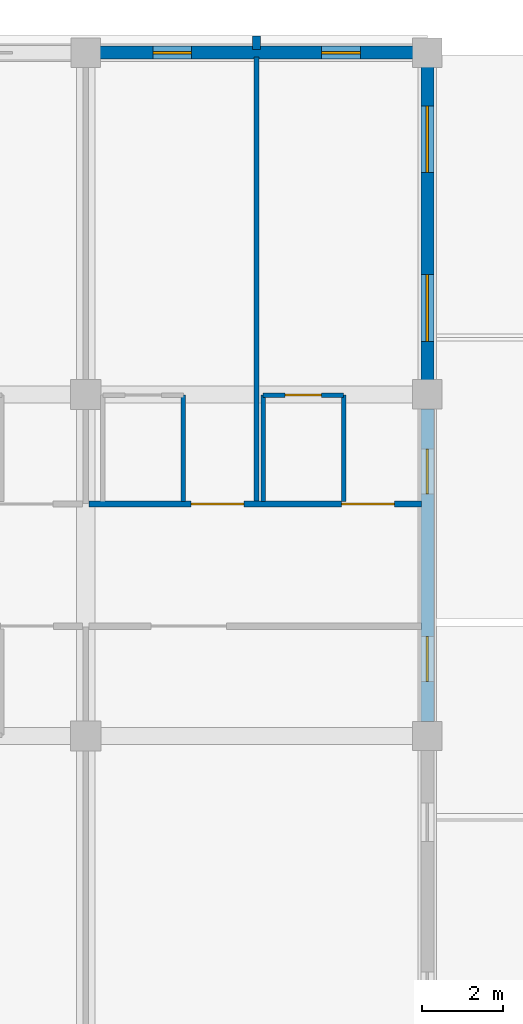
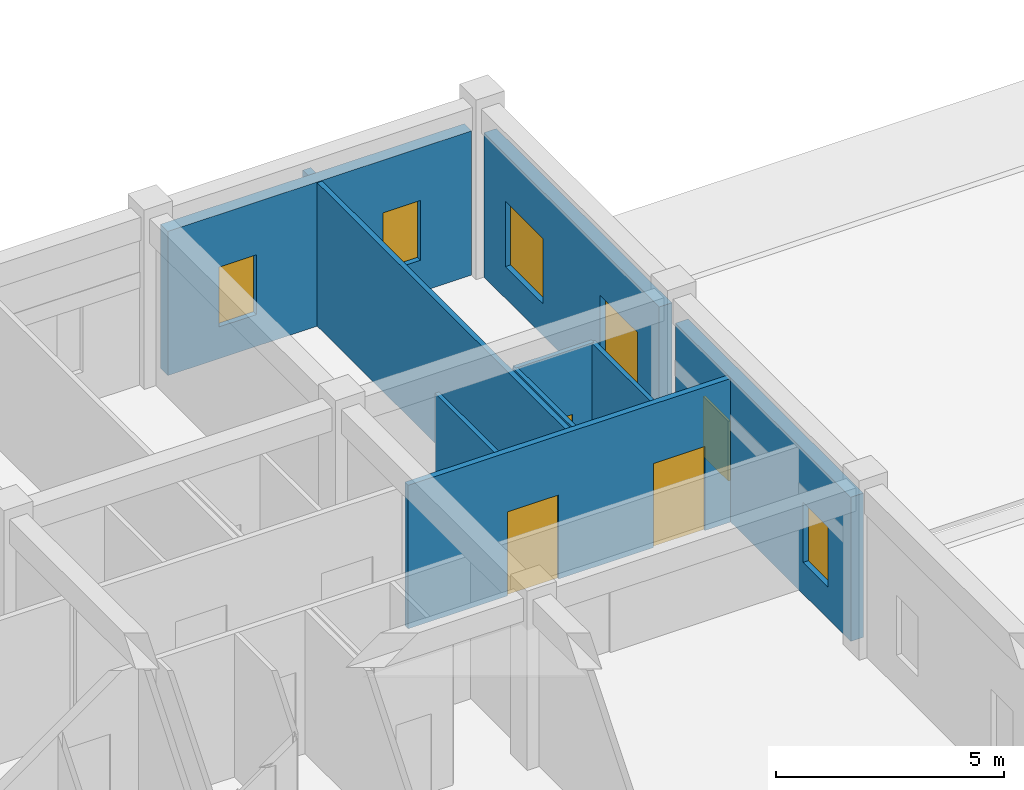
# One storey, part 138 of 158: 10 walls, 6 windows, 3 doors, 9 openings.
"""IFC4 building model written with IfcOpenShell, lengths in metres."""

from ifc_helpers import new_model, si_unit, direction, frame, frame_2d, origin, place, context, subcontext, project, spatial, rectangle, extrude, material, layer, layer_set, type_object, element, fill, save


model = new_model("IFC4")

# Units and contexts
model_context = context("Model", 3, precision=1e-05, world=origin(), true_north=direction((0.0, 1.0)))
body_context = subcontext(model_context, "Body", "Model", "MODEL_VIEW")
ifc_project = project(units=[si_unit("LENGTHUNIT", "METRE"), si_unit("AREAUNIT", "SQUARE_METRE"), si_unit("VOLUMEUNIT", "CUBIC_METRE"), si_unit("PLANEANGLEUNIT", "RADIAN"), si_unit("MASSUNIT", "GRAM", prefix="KILO")], contexts=[model_context])

# Site, building, storey
site_placement = place(None, origin())
site = spatial("IfcSite", under=ifc_project, at=site_placement, CompositionType="ELEMENT")
building_placement = place(site_placement, origin())
building = spatial("IfcBuilding", under=site, at=building_placement, Name="Trelvath General Hospital", CompositionType="ELEMENT")
storey_placement = place(building_placement, frame((0.0, 0.0, 8.10009765625)))
storey = spatial("IfcBuildingStorey", under=building, at=storey_placement, Name="L02", CompositionType="ELEMENT", Elevation=8.10009765625)

# Wall
ifc_material_1 = material(Name="Precast concrete C40/50", Category="concrete")
ifc_layer_1 = layer(ifc_material_1, 0.199951171875)
ifc_layer_set_1 = layer_set([ifc_layer_1], Name="Precast concrete C40/50")
wall_type_1 = type_object("IfcWallType", Name="BriseSoleilRib 200", PredefinedType="ELEMENTEDWALL", material=ifc_layer_set_1)
wall_1_placement = place(storey_placement, frame((130.199951171875, 117.675048828125, 0.0), z_axis=(0.0, 0.0, 1.0), x_axis=(0.0, 1.0, 0.0)))
element("IfcWall", 1, at=wall_1_placement, inside=storey, type_object=wall_type_1, Name="Precast Concrete Brise-Soleil Rib Fin L02-222", PredefinedType="ELEMENTEDWALL", context=body_context, shape_type="SweptSolid", body=[
    extrude(rectangle(XDim=0.33984375, YDim=0.199951171875, at=frame_2d((0.169921875, 0.0))), origin(), (0.0, 0.0, 1.0), 3.83984375),
])

# Wall, openings, doors
ifc_material_2 = material(Name="Gypsum acoustic steel-stud partition", Category="steel")
ifc_layer_2 = layer(ifc_material_2, 0.14990234375)
ifc_layer_set_2 = layer_set([ifc_layer_2], Name="Gypsum acoustic steel-stud partition")
wall_type_2 = type_object("IfcWallType", Name="ClinicalPartition 150", PredefinedType="PARTITIONING", material=ifc_layer_set_2)
wall_2_placement = place(storey_placement, frame((134.260009765625, 106.5, 0.0), z_axis=(0.0, 0.0, 1.0), x_axis=(-1.0, 0.0, 0.0)))
wall_2 = element("IfcWall", 2, at=wall_2_placement, inside=storey, type_object=wall_type_2, Name="Corridor Partition N L02-1017", PredefinedType="PARTITIONING", context=body_context, shape_type="SweptSolid", body=[
    extrude(rectangle(XDim=8.179931640625, YDim=0.14990234375, at=frame_2d((4.08984375, 0.0))), origin(), (0.0, 0.0, 1.0), 3.83984375),
])
opening_1_placement = place(wall_2_placement, frame((0.669921875, 0.0, 0.0)))
opening_1 = element("IfcOpeningElement", 3, at=opening_1_placement, cuts=wall_2, Name="Opening D-2-0792", PredefinedType="OPENING", context=body_context, shape_type="SweptSolid", body=[
    extrude(rectangle(XDim=1.300048828125, YDim=2.25, at=frame_2d((0.64990234375, 1.125))), frame((0.0, 0.0849609375, 0.0), z_axis=(0.0, -1.0, 0.0), x_axis=(1.0, 0.0, 0.0)), (0.0, 0.0, 1.0), 0.169921875),
])
opening_2_placement = place(wall_2_placement, frame((4.3701171875, 0.0, 0.0)))
opening_2 = element("IfcOpeningElement", 4, at=opening_2_placement, cuts=wall_2, Name="Opening D-2-0793", PredefinedType="OPENING", context=body_context, shape_type="SweptSolid", body=[
    extrude(rectangle(XDim=1.300048828125, YDim=2.25, at=frame_2d((0.64990234375, 1.125))), frame((0.0, 0.0849609375, 0.0), z_axis=(0.0, -1.0, 0.0), x_axis=(1.0, 0.0, 0.0)), (0.0, 0.0, 1.0), 0.169921875),
])
ifc_material_3 = material(Name="Hospital bed-leaf timber door", Category="wood")
door_type_1 = type_object("IfcDoorType", Name="Door PatientBed 1300x2250", OperationType="NOTDEFINED", PredefinedType="DOOR", material=ifc_material_3)
door_1_placement = place(opening_1_placement, origin())
door_1 = element("IfcDoor", 5, at=door_1_placement, inside=storey, type_object=door_type_1, Name="Patient Room Door N L02-792", OperationType="SINGLE_SWING_LEFT", OverallHeight=2.25, OverallWidth=1.300048828125, PredefinedType="DOOR", context=body_context, shape_type="SweptSolid", body=[
    extrude(rectangle(XDim=1.300048828125, YDim=2.25, at=frame_2d((0.64990234375, 1.125))), frame((0.0, 0.02490234375, 0.0), z_axis=(0.0, -1.0, 0.0), x_axis=(1.0, 0.0, 0.0)), (0.0, 0.0, 1.0), 0.050048828125),
])
fill(opening_1, door_1)
door_2_placement = place(opening_2_placement, origin())
door_2 = element("IfcDoor", 6, at=door_2_placement, inside=storey, type_object=door_type_1, Name="Patient Room Door N L02-793", OperationType="SINGLE_SWING_LEFT", OverallHeight=2.25, OverallWidth=1.300048828125, PredefinedType="DOOR", context=body_context, shape_type="SweptSolid", body=[
    extrude(rectangle(XDim=1.300048828125, YDim=2.25, at=frame_2d((0.64990234375, 1.125))), frame((0.0, 0.02490234375, 0.0), z_axis=(0.0, -1.0, 0.0), x_axis=(1.0, 0.0, 0.0)), (0.0, 0.0, 1.0), 0.050048828125),
])
fill(opening_2, door_2)

# Walls
ifc_material_4 = material(Name="Moisture-resistant tile partition")
ifc_layer_3 = layer(ifc_material_4, 0.110107421875)
ifc_layer_set_3 = layer_set([ifc_layer_3], Name="Moisture-resistant tile partition")
wall_type_3 = type_object("IfcWallType", Name="EnSuiteWetWall 110", PredefinedType="PARTITIONING", material=ifc_layer_set_3)
for number, where, z_axis, x_axis, name in (
    (7, (128.39990234375, 106.570068359375, 0.0), (0.0, 0.0, 1.0), (0.0, 1.0, 0.0), "En-Suite E Wall N L02-1020"),
    (8, (130.360107421875, 106.570068359375, 0.0), (0.0, 0.0, 1.0), (0.0, 1.0, 0.0), "En-Suite W Wall N L02-1022"),
    (9, (132.340087890625, 106.570068359375, 0.0), (0.0, 0.0, 1.0), (0.0, 1.0, 0.0), "En-Suite E Wall N L02-1023"),
):
    element("IfcWall", number, at=place(storey_placement, frame(where, z_axis=z_axis, x_axis=x_axis)), inside=storey, type_object=wall_type_3, Name=name, PredefinedType="PARTITIONING", context=body_context, shape_type="SweptSolid", body=[
        extrude(rectangle(XDim=2.60986328125, YDim=0.110107421875, at=frame_2d((1.304931640625, 0.0))), origin(), (0.0, 0.0, 1.0), 3.83984375),
    ])

# Wall, opening, door
wall_3_placement = place(storey_placement, frame((130.360107421875, 109.179931640625, 0.0), z_axis=(0.0, 0.0, 1.0), x_axis=(1.0, 0.0, 0.0)))
wall_3 = element("IfcWall", 10, at=wall_3_placement, inside=storey, type_object=wall_type_3, Name="En-Suite Bathroom N Partition L02-1024", PredefinedType="PARTITIONING", context=body_context, shape_type="SweptSolid", body=[
    extrude(rectangle(XDim=1.97998046875, YDim=0.110107421875, at=frame_2d((0.989990234375, 0.0))), origin(), (0.0, 0.0, 1.0), 3.83984375),
])
opening_3_placement = place(wall_3_placement, frame((0.5400390625, 0.0, 0.0)))
opening_3 = element("IfcOpeningElement", 11, at=opening_3_placement, cuts=wall_3, Name="Opening D-2-0795", PredefinedType="OPENING", context=body_context, shape_type="SweptSolid", body=[
    extrude(rectangle(XDim=0.89990234375, YDim=2.10009765625, at=frame_2d((0.449951171875, 1.050048828125))), frame((0.0, 0.06494140625, 0.0), z_axis=(0.0, -1.0, 0.0), x_axis=(1.0, 0.0, 0.0)), (0.0, 0.0, 1.0), 0.130126953125),
])
ifc_material_5 = material(Name="Moisture-sealed timber leaf", Category="wood")
door_type_2 = type_object("IfcDoorType", Name="Door EnSuite 900x2100", OperationType="NOTDEFINED", PredefinedType="DOOR", material=ifc_material_5)
door_3_placement = place(opening_3_placement, origin())
door_3 = element("IfcDoor", 12, at=door_3_placement, inside=storey, type_object=door_type_2, Name="En-Suite Bathroom N Door L02-795", OperationType="SINGLE_SWING_LEFT", OverallHeight=2.10009765625, OverallWidth=0.89990234375, PredefinedType="DOOR", context=body_context, shape_type="SweptSolid", body=[
    extrude(rectangle(XDim=0.89990234375, YDim=2.10009765625, at=frame_2d((0.449951171875, 1.050048828125))), frame((0.0, 0.02490234375, 0.0), z_axis=(0.0, -1.0, 0.0), x_axis=(1.0, 0.0, 0.0)), (0.0, 0.0, 1.0), 0.050048828125),
])
fill(opening_3, door_3)

# Wall, openings, windows
ifc_material_6 = material(Name="Concrete C35/45", Category="concrete")
ifc_layer_4 = layer(ifc_material_6, 0.320068359375)
ifc_layer_set_4 = layer_set([ifc_layer_4], Name="Concrete C35/45")
wall_type_4 = type_object("IfcWallType", Name="ExtThermalWall 320", PredefinedType="SOLIDWALL", material=ifc_layer_set_4)
wall_4_placement = place(storey_placement, frame((134.39990234375, 108.844970703125, 0.0), z_axis=(0.0, 0.0, 1.0), x_axis=(0.0, -1.0, 0.0)))
wall_4 = element("IfcWall", 13, at=wall_4_placement, inside=storey, type_object=wall_type_4, Name="Exterior Concrete Wall L02-302", PredefinedType="SOLIDWALL", context=body_context, shape_type="SweptSolid", body=[
    extrude(rectangle(XDim=7.68994140625, YDim=0.320068359375, at=frame_2d((3.844970703125, 0.0))), origin(), (0.0, 0.0, 1.0), 3.85986328125),
])
opening_4_placement = place(wall_4_placement, frame((0.989990234375, 0.0, 0.85009765625)))
opening_4 = element("IfcOpeningElement", 14, at=opening_4_placement, cuts=wall_4, Name="Opening WN-2-481", PredefinedType="OPENING", context=body_context, shape_type="SweptSolid", body=[
    extrude(rectangle(XDim=1.10009765625, YDim=1.60009765625, at=frame_2d((0.550048828125, 0.800048828125))), frame((0.0, 0.169921875, 0.0), z_axis=(0.0, -1.0, 0.0), x_axis=(1.0, 0.0, 0.0)), (0.0, 0.0, 1.0), 0.340087890625),
])
opening_5_placement = place(wall_4_placement, frame((5.60009765625, 0.0, 0.85009765625)))
opening_5 = element("IfcOpeningElement", 15, at=opening_5_placement, cuts=wall_4, Name="Opening WN-2-482", PredefinedType="OPENING", context=body_context, shape_type="SweptSolid", body=[
    extrude(rectangle(XDim=1.10009765625, YDim=1.60009765625, at=frame_2d((0.550048828125, 0.800048828125))), frame((0.0, 0.169921875, 0.0), z_axis=(0.0, -1.0, 0.0), x_axis=(1.0, 0.0, 0.0)), (0.0, 0.0, 1.0), 0.340087890625),
])
ifc_material_7 = material(Name="Low-E laminated glass", Category="glass")
window_type_1 = type_object("IfcWindowType", Name="Window DeepReveal 1100x1600", PartitioningType="SINGLE_PANEL", PredefinedType="WINDOW", material=ifc_material_7)
window_1_placement = place(opening_4_placement, origin())
window_1 = element("IfcWindow", 16, at=window_1_placement, inside=storey, type_object=window_type_1, Name="Solar Reveal Window L02-481", OverallHeight=1.60009765625, OverallWidth=1.10009765625, PartitioningType="SINGLE_PANEL", PredefinedType="WINDOW", context=body_context, shape_type="SweptSolid", body=[
    extrude(rectangle(XDim=1.10009765625, YDim=1.60009765625, at=frame_2d((0.550048828125, 0.800048828125))), frame((0.0, 0.030029296875, 0.0), z_axis=(0.0, -1.0, 0.0), x_axis=(1.0, 0.0, 0.0)), (0.0, 0.0, 1.0), 0.06005859375),
])
fill(opening_4, window_1)
window_2_placement = place(opening_5_placement, origin())
window_2 = element("IfcWindow", 17, at=window_2_placement, inside=storey, type_object=window_type_1, Name="Solar Reveal Window L02-482", OverallHeight=1.60009765625, OverallWidth=1.10009765625, PartitioningType="SINGLE_PANEL", PredefinedType="WINDOW", context=body_context, shape_type="SweptSolid", body=[
    extrude(rectangle(XDim=1.10009765625, YDim=1.60009765625, at=frame_2d((0.550048828125, 0.800048828125))), frame((0.0, 0.030029296875, 0.0), z_axis=(0.0, -1.0, 0.0), x_axis=(1.0, 0.0, 0.0)), (0.0, 0.0, 1.0), 0.06005859375),
])
fill(opening_5, window_2)

wall_5_placement = place(storey_placement, frame((126.35498046875, 117.60009765625, 0.0), z_axis=(0.0, 0.0, 1.0), x_axis=(1.0, 0.0, 0.0)))
wall_5 = element("IfcWall", 18, at=wall_5_placement, inside=storey, type_object=wall_type_4, Name="Exterior Concrete Wall L02-303", PredefinedType="SOLIDWALL", context=body_context, shape_type="SweptSolid", body=[
    extrude(rectangle(XDim=7.68994140625, YDim=0.320068359375, at=frame_2d((3.844970703125, 0.0))), origin(), (0.0, 0.0, 1.0), 3.85986328125),
])
opening_6_placement = place(wall_5_placement, frame((1.293701171875, 0.0, 0.85009765625)))
opening_6 = element("IfcOpeningElement", 19, at=opening_6_placement, cuts=wall_5, Name="Opening WN-2-483", PredefinedType="OPENING", context=body_context, shape_type="SweptSolid", body=[
    extrude(rectangle(XDim=0.949951171875, YDim=1.60009765625, at=frame_2d((0.47509765625, 0.800048828125))), frame((0.0, 0.169921875, 0.0), z_axis=(0.0, -1.0, 0.0), x_axis=(1.0, 0.0, 0.0)), (0.0, 0.0, 1.0), 0.340087890625),
])
opening_7_placement = place(wall_5_placement, frame((5.4462890625, 0.0, 0.85009765625)))
opening_7 = element("IfcOpeningElement", 20, at=opening_7_placement, cuts=wall_5, Name="Opening WN-2-484", PredefinedType="OPENING", context=body_context, shape_type="SweptSolid", body=[
    extrude(rectangle(XDim=0.949951171875, YDim=1.60009765625, at=frame_2d((0.47509765625, 0.800048828125))), frame((0.0, 0.169921875, 0.0), z_axis=(0.0, -1.0, 0.0), x_axis=(1.0, 0.0, 0.0)), (0.0, 0.0, 1.0), 0.340087890625),
])
ifc_material_8 = material(Name="Low-E laminated glass", Category="glass")
window_type_2 = type_object("IfcWindowType", Name="Window DeepReveal 950x1600", PartitioningType="SINGLE_PANEL", PredefinedType="WINDOW", material=ifc_material_8)
window_3_placement = place(opening_6_placement, origin())
window_3 = element("IfcWindow", 21, at=window_3_placement, inside=storey, type_object=window_type_2, Name="Solar Reveal Window L02-483", OverallHeight=1.60009765625, OverallWidth=0.949951171875, PartitioningType="SINGLE_PANEL", PredefinedType="WINDOW", context=body_context, shape_type="SweptSolid", body=[
    extrude(rectangle(XDim=0.949951171875, YDim=1.60009765625, at=frame_2d((0.47509765625, 0.800048828125))), frame((0.0, 0.030029296875, 0.0), z_axis=(0.0, -1.0, 0.0), x_axis=(1.0, 0.0, 0.0)), (0.0, 0.0, 1.0), 0.06005859375),
])
fill(opening_6, window_3)
window_4_placement = place(opening_7_placement, origin())
window_4 = element("IfcWindow", 22, at=window_4_placement, inside=storey, type_object=window_type_2, Name="Solar Reveal Window L02-484", OverallHeight=1.60009765625, OverallWidth=0.949951171875, PartitioningType="SINGLE_PANEL", PredefinedType="WINDOW", context=body_context, shape_type="SweptSolid", body=[
    extrude(rectangle(XDim=0.949951171875, YDim=1.60009765625, at=frame_2d((0.47509765625, 0.800048828125))), frame((0.0, 0.030029296875, 0.0), z_axis=(0.0, -1.0, 0.0), x_axis=(1.0, 0.0, 0.0)), (0.0, 0.0, 1.0), 0.06005859375),
])
fill(opening_7, window_4)

wall_6_placement = place(storey_placement, frame((134.39990234375, 117.2451171875, 0.0), z_axis=(0.0, 0.0, 1.0), x_axis=(0.0, -1.0, 0.0)))
wall_6 = element("IfcWall", 23, at=wall_6_placement, inside=storey, type_object=wall_type_4, Name="Exterior Concrete Wall L02-304", PredefinedType="SOLIDWALL", context=body_context, shape_type="SweptSolid", body=[
    extrude(rectangle(XDim=7.690185546875, YDim=0.320068359375, at=frame_2d((3.84521484375, 0.0))), origin(), (0.0, 0.0, 1.0), 3.85986328125),
])
opening_8_placement = place(wall_6_placement, frame((0.94873046875, 0.0, 0.85009765625)))
opening_8 = element("IfcOpeningElement", 24, at=opening_8_placement, cuts=wall_6, Name="Opening WN-2-485", PredefinedType="OPENING", context=body_context, shape_type="SweptSolid", body=[
    extrude(rectangle(XDim=1.639892578125, YDim=1.75, at=frame_2d((0.81982421875, 0.875))), frame((0.0, 0.169921875, 0.0), z_axis=(0.0, -1.0, 0.0), x_axis=(1.0, 0.0, 0.0)), (0.0, 0.0, 1.0), 0.340087890625),
])
opening_9_placement = place(wall_6_placement, frame((5.101318359375, 0.0, 0.85009765625)))
opening_9 = element("IfcOpeningElement", 25, at=opening_9_placement, cuts=wall_6, Name="Opening WN-2-486", PredefinedType="OPENING", context=body_context, shape_type="SweptSolid", body=[
    extrude(rectangle(XDim=1.639892578125, YDim=1.75, at=frame_2d((0.81982421875, 0.875))), frame((0.0, 0.169921875, 0.0), z_axis=(0.0, -1.0, 0.0), x_axis=(1.0, 0.0, 0.0)), (0.0, 0.0, 1.0), 0.340087890625),
])
ifc_material_9 = material(Name="Low-E laminated glass", Category="glass")
window_type_3 = type_object("IfcWindowType", Name="Window ICU 1640x1750", PartitioningType="DOUBLE_PANEL_VERTICAL", PredefinedType="WINDOW", material=ifc_material_9)
window_5_placement = place(opening_8_placement, origin())
window_5 = element("IfcWindow", 26, at=window_5_placement, inside=storey, type_object=window_type_3, Name="Solar Reveal Window L02-485", OverallHeight=1.75, OverallWidth=1.639892578125, PartitioningType="SINGLE_PANEL", PredefinedType="WINDOW", context=body_context, shape_type="SweptSolid", body=[
    extrude(rectangle(XDim=1.639892578125, YDim=1.75, at=frame_2d((0.81982421875, 0.875))), frame((0.0, 0.030029296875, 0.0), z_axis=(0.0, -1.0, 0.0), x_axis=(1.0, 0.0, 0.0)), (0.0, 0.0, 1.0), 0.06005859375),
])
fill(opening_8, window_5)
window_6_placement = place(opening_9_placement, origin())
window_6 = element("IfcWindow", 27, at=window_6_placement, inside=storey, type_object=window_type_3, Name="Solar Reveal Window L02-486", OverallHeight=1.75, OverallWidth=1.639892578125, PartitioningType="SINGLE_PANEL", PredefinedType="WINDOW", context=body_context, shape_type="SweptSolid", body=[
    extrude(rectangle(XDim=1.639892578125, YDim=1.75, at=frame_2d((0.81982421875, 0.875))), frame((0.0, 0.030029296875, 0.0), z_axis=(0.0, -1.0, 0.0), x_axis=(1.0, 0.0, 0.0)), (0.0, 0.0, 1.0), 0.06005859375),
])
fill(opening_9, window_6)

# Wall
ifc_material_10 = material(Name="Gypsum acoustic steel-stud partition", Category="steel")
ifc_layer_5 = layer(ifc_material_10, 0.1298828125)
ifc_layer_set_5 = layer_set([ifc_layer_5], Name="Gypsum acoustic steel-stud partition")
wall_type_5 = type_object("IfcWallType", Name="WardPartition 130", PredefinedType="PARTITIONING", material=ifc_layer_set_5)
wall_7_placement = place(storey_placement, frame((130.199951171875, 106.570068359375, 0.0), z_axis=(0.0, 0.0, 1.0), x_axis=(0.0, 1.0, 0.0)))
element("IfcWall", 28, at=wall_7_placement, inside=storey, type_object=wall_type_5, Name="Room Dividing Partition N L02-1018", PredefinedType="PARTITIONING", context=body_context, shape_type="SweptSolid", body=[
    extrude(rectangle(XDim=10.929931640625, YDim=0.1298828125, at=frame_2d((5.46484375, 0.0))), origin(), (0.0, 0.0, 1.0), 3.83984375),
])

save(model, "model.ifc")
